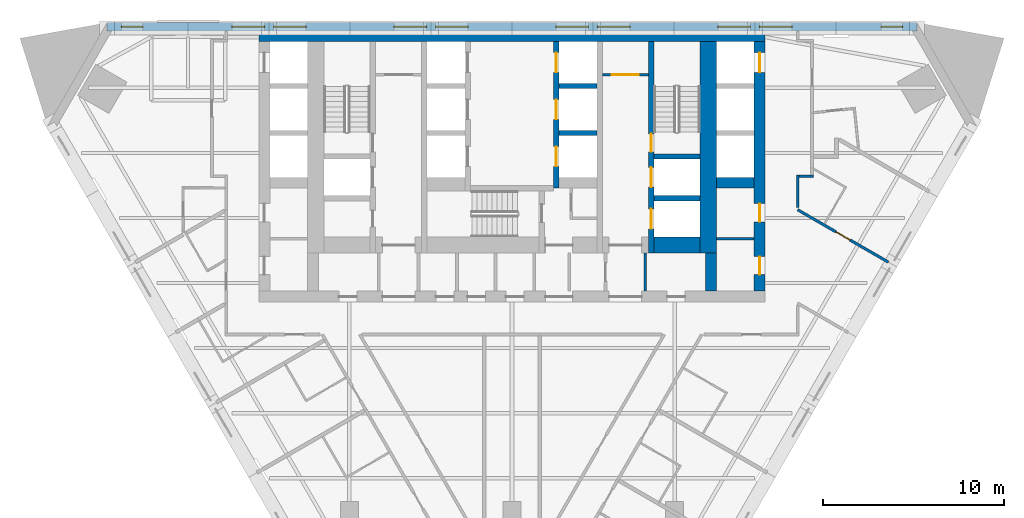
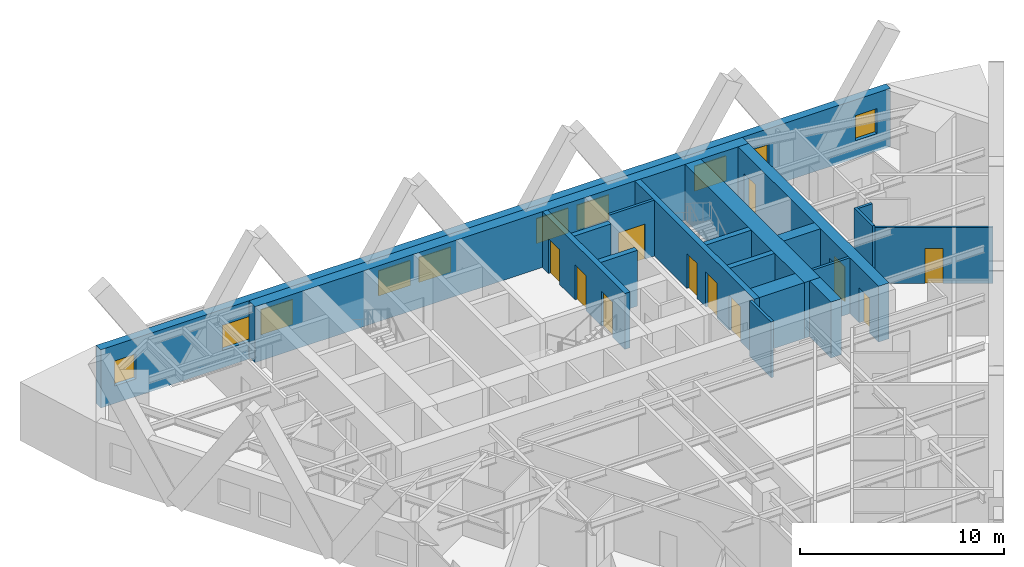
# One storey, part 7 of 9: 19 walls, 11 doors, 10 windows, 21 openings.
"""IFC4 building model written with IfcOpenShell, lengths in metres."""

from ifc_helpers import new_model, si_unit, direction, frame, frame_2d, origin, place, context, subcontext, project, spatial, polyline, rectangle, outline, extrude, material, layer, layer_set, type_object, element, fill, save


model = new_model("IFC4")

# Units and contexts
model_context = context("Model", 3, precision=1e-05, world=origin(), true_north=direction((0.0, 1.0)))
body_context = subcontext(model_context, "Body", "Model", "MODEL_VIEW")
ifc_project = project(units=[si_unit("LENGTHUNIT", "METRE"), si_unit("AREAUNIT", "SQUARE_METRE"), si_unit("VOLUMEUNIT", "CUBIC_METRE"), si_unit("PLANEANGLEUNIT", "RADIAN"), si_unit("MASSUNIT", "GRAM", prefix="KILO")], contexts=[model_context])

# Site, building, storey
site_placement = place(None, origin())
site = spatial("IfcSite", under=ifc_project, at=site_placement, CompositionType="ELEMENT")
building_placement = place(site_placement, origin())
building = spatial("IfcBuilding", under=site, at=building_placement, Name="Aloe Facet Convention Tower", CompositionType="ELEMENT")
storey_placement = place(building_placement, frame((0.0, 0.0, 42.0)))
storey = spatial("IfcBuildingStorey", under=building, at=storey_placement, Name="L08", CompositionType="ELEMENT", Elevation=42.0)

# Wall, opening, door
ifc_material_1 = material(Name="Concrete blockwork partition", Category="masonry")
ifc_layer_1 = layer(ifc_material_1, 0.14990234375)
ifc_layer_set_1 = layer_set([ifc_layer_1], Name="CR-W-PART150")
wall_type_1 = type_object("IfcWallType", Name="CR-W-PART150", PredefinedType="PARTITIONING", material=ifc_layer_set_1)
wall_1_placement = place(storey_placement, frame((85.0, 132.125, 0.0), z_axis=(0.0, 0.0, 1.0), x_axis=(1.0, 0.0, 0.0)))
wall_1 = element("IfcWall", 1, at=wall_1_placement, inside=storey, type_object=wall_type_1, Name="Core partition L08-038", PredefinedType="PARTITIONING", context=body_context, shape_type="SweptSolid", body=[
    extrude(rectangle(XDim=2.550048828125, YDim=0.14990234375, at=frame_2d((1.27490234375, 0.0))), origin(), (0.0, 0.0, 1.0), 3.35009765625),
])
opening_1_placement = place(wall_1_placement, frame((0.52490234375, 0.0, 0.0)))
opening_1 = element("IfcOpeningElement", 2, at=opening_1_placement, cuts=wall_1, Name="Opening L08-CD20", PredefinedType="OPENING", context=body_context, shape_type="SweptSolid", body=[
    extrude(rectangle(XDim=1.5, YDim=2.10009765625, at=frame_2d((0.75, 1.050048828125))), frame((0.0, 0.0849609375, 0.0), z_axis=(0.0, -1.0, 0.0), x_axis=(1.0, 0.0, 0.0)), (0.0, 0.0, 1.0), 0.169921875),
])
ifc_material_2 = material(Name="Steel fire-resisting door set FD60", Category="steel")
door_type_1 = type_object("IfcDoorType", Name="CR-D-REFUGE-1500-FD60-DD", OperationType="DOUBLE_DOOR_DOUBLE_SWING", PredefinedType="DOOR", material=ifc_material_2)
door_1_placement = place(opening_1_placement, origin())
door_1 = element("IfcDoor", 3, at=door_1_placement, inside=storey, type_object=door_type_1, Name="Core door L08-CD20", OperationType="DOUBLE_DOOR_DOUBLE_SWING", OverallHeight=2.10009765625, OverallWidth=1.5, PredefinedType="DOOR", context=body_context, shape_type="SweptSolid", body=[
    extrude(rectangle(XDim=1.5, YDim=2.10009765625, at=frame_2d((0.75, 1.050048828125))), frame((0.0, 0.02490234375, 0.0), z_axis=(0.0, -1.0, 0.0), x_axis=(1.0, 0.0, 0.0)), (0.0, 0.0, 1.0), 0.050048828125),
])
fill(opening_1, door_1)

# Walls
wall_2_placement = place(storey_placement, frame((87.375, 122.25, 0.0), z_axis=(0.0, 0.0, 1.0), x_axis=(0.0, -1.0, 0.0)))
element("IfcWall", 4, at=wall_2_placement, inside=storey, type_object=wall_type_1, Name="Core partition L08-041", PredefinedType="PARTITIONING", context=body_context, shape_type="SweptSolid", body=[
    extrude(rectangle(XDim=2.10009765625, YDim=0.14990234375, at=frame_2d((1.050048828125, 0.0))), origin(), (0.0, 0.0, 1.0), 3.35009765625),
])
wall_3_placement = place(storey_placement, frame((91.300048828125, 123.048583984375, 0.0), z_axis=(0.0, 0.0, 1.0), x_axis=(1.0, 0.0, 0.0)))
element("IfcWall", 5, at=wall_3_placement, inside=storey, type_object=wall_type_1, Name="Core partition L08-051", PredefinedType="PARTITIONING", context=body_context, shape_type="SweptSolid", body=[
    extrude(rectangle(XDim=2.099853515625, YDim=0.14990234375, at=frame_2d((1.0498046875, 0.0))), origin(), (0.0, 0.0, 1.0), 3.35009765625),
])

# Wall, openings, doors
ifc_material_3 = material(Name="Concrete C80/95", Category="concrete")
ifc_layer_2 = layer(ifc_material_3, 0.300048828125)
ifc_layer_set_2 = layer_set([ifc_layer_2], Name="CR-W-RC300-C8095")
wall_type_2 = type_object("IfcWallType", Name="CR-W-RC300-C8095", PredefinedType="SOLIDWALL", material=ifc_layer_set_2)
wall_4_placement = place(storey_placement, frame((82.449951171875, 133.949951171875, 0.0), z_axis=(0.0, 0.0, 1.0), x_axis=(0.0, -1.0, 0.0)))
wall_4 = element("IfcWall", 6, at=wall_4_placement, inside=storey, type_object=wall_type_2, Name="Core wall L08-030", PredefinedType="SOLIDWALL", context=body_context, shape_type="SweptSolid", body=[
    extrude(rectangle(XDim=8.099853515625, YDim=0.300048828125, at=frame_2d((4.0498046875, 0.0))), origin(), (0.0, 0.0, 1.0), 3.35009765625),
])
opening_2_placement = place(wall_4_placement, frame((0.60009765625, 0.0, 0.0)))
opening_2 = element("IfcOpeningElement", 7, at=opening_2_placement, cuts=wall_4, Name="Opening LD-A4-L08", PredefinedType="OPENING", context=body_context, shape_type="SweptSolid", body=[
    extrude(rectangle(XDim=1.10009765625, YDim=2.10009765625, at=frame_2d((0.550048828125, 1.050048828125))), frame((0.0, 0.16015625, 0.0), z_axis=(0.0, -1.0, 0.0), x_axis=(1.0, 0.0, 0.0)), (0.0, 0.0, 1.0), 0.320068359375),
])
opening_3_placement = place(wall_4_placement, frame((3.199951171875, 0.0, 0.0)))
opening_3 = element("IfcOpeningElement", 8, at=opening_3_placement, cuts=wall_4, Name="Opening LD-A5-L08", PredefinedType="OPENING", context=body_context, shape_type="SweptSolid", body=[
    extrude(rectangle(XDim=1.10009765625, YDim=2.10009765625, at=frame_2d((0.550048828125, 1.050048828125))), frame((0.0, 0.16015625, 0.0), z_axis=(0.0, -1.0, 0.0), x_axis=(1.0, 0.0, 0.0)), (0.0, 0.0, 1.0), 0.320068359375),
])
opening_4_placement = place(wall_4_placement, frame((5.800048828125, 0.0, 0.0)))
opening_4 = element("IfcOpeningElement", 9, at=opening_4_placement, cuts=wall_4, Name="Opening LD-A6-L08", PredefinedType="OPENING", context=body_context, shape_type="SweptSolid", body=[
    extrude(rectangle(XDim=1.10009765625, YDim=2.10009765625, at=frame_2d((0.550048828125, 1.050048828125))), frame((0.0, 0.16015625, 0.0), z_axis=(0.0, -1.0, 0.0), x_axis=(1.0, 0.0, 0.0)), (0.0, 0.0, 1.0), 0.320068359375),
])
ifc_material_4 = material(Name="Stainless steel sliding landing door", Category="steel")
door_type_2 = type_object("IfcDoorType", Name="CR-LD-1100-FD60-_LEFT", OperationType="SLIDING_TO_LEFT", PredefinedType="DOOR", material=ifc_material_4)
door_2_placement = place(opening_2_placement, origin())
door_2 = element("IfcDoor", 10, at=door_2_placement, inside=storey, type_object=door_type_2, Name="Landing door A4 L08", OperationType="SLIDING_TO_LEFT", OverallHeight=2.10009765625, OverallWidth=1.10009765625, PredefinedType="DOOR", context=body_context, shape_type="SweptSolid", body=[
    extrude(rectangle(XDim=1.10009765625, YDim=2.10009765625, at=frame_2d((0.550048828125, 1.050048828125))), frame((0.0, 0.02490234375, 0.0), z_axis=(0.0, -1.0, 0.0), x_axis=(1.0, 0.0, 0.0)), (0.0, 0.0, 1.0), 0.050048828125),
])
fill(opening_2, door_2)
door_3_placement = place(opening_3_placement, origin())
door_3 = element("IfcDoor", 11, at=door_3_placement, inside=storey, type_object=door_type_2, Name="Landing door A5 L08", OperationType="SLIDING_TO_LEFT", OverallHeight=2.10009765625, OverallWidth=1.10009765625, PredefinedType="DOOR", context=body_context, shape_type="SweptSolid", body=[
    extrude(rectangle(XDim=1.10009765625, YDim=2.10009765625, at=frame_2d((0.550048828125, 1.050048828125))), frame((0.0, 0.02490234375, 0.0), z_axis=(0.0, -1.0, 0.0), x_axis=(1.0, 0.0, 0.0)), (0.0, 0.0, 1.0), 0.050048828125),
])
fill(opening_3, door_3)
door_4_placement = place(opening_4_placement, origin())
door_4 = element("IfcDoor", 12, at=door_4_placement, inside=storey, type_object=door_type_2, Name="Landing door A6 L08", OperationType="SLIDING_TO_LEFT", OverallHeight=2.10009765625, OverallWidth=1.10009765625, PredefinedType="DOOR", context=body_context, shape_type="SweptSolid", body=[
    extrude(rectangle(XDim=1.10009765625, YDim=2.10009765625, at=frame_2d((0.550048828125, 1.050048828125))), frame((0.0, 0.02490234375, 0.0), z_axis=(0.0, -1.0, 0.0), x_axis=(1.0, 0.0, 0.0)), (0.0, 0.0, 1.0), 0.050048828125),
])
fill(opening_4, door_4)

# Walls
for number, where, z_axis, x_axis, name in (
    (13, (82.60009765625, 131.5, 0.0), (0.0, 0.0, 1.0), (1.0, 0.0, 0.0), "Core wall L08-031"),
    (14, (82.60009765625, 128.89990234375, 0.0), (0.0, 0.0, 1.0), (1.0, 0.0, 0.0), "Core wall L08-032"),
):
    element("IfcWall", number, at=place(storey_placement, frame(where, z_axis=z_axis, x_axis=x_axis)), inside=storey, type_object=wall_type_2, Name=name, PredefinedType="SOLIDWALL", context=body_context, shape_type="SweptSolid", body=[
        extrude(rectangle(XDim=2.099853515625, YDim=0.300048828125, at=frame_2d((1.0498046875, 0.0))), origin(), (0.0, 0.0, 1.0), 3.35009765625),
    ])

# Wall, openings, doors
wall_5_placement = place(storey_placement, frame((87.699951171875, 133.949951171875, 0.0), z_axis=(0.0, 0.0, 1.0), x_axis=(0.0, -1.0, 0.0)))
wall_5 = element("IfcWall", 15, at=wall_5_placement, inside=storey, type_object=wall_type_2, Name="Core wall L08-042", PredefinedType="SOLIDWALL", context=body_context, shape_type="SweptSolid", body=[
    extrude(rectangle(XDim=11.699951171875, YDim=0.300048828125, at=frame_2d((5.85009765625, 0.0))), origin(), (0.0, 0.0, 1.0), 3.35009765625),
])
opening_5_placement = place(wall_5_placement, frame((6.949951171875, 0.0, 0.0)))
opening_5 = element("IfcOpeningElement", 16, at=opening_5_placement, cuts=wall_5, Name="Opening LD-FF2-L08", PredefinedType="OPENING", context=body_context, shape_type="SweptSolid", body=[
    extrude(rectangle(XDim=1.10009765625, YDim=2.10009765625, at=frame_2d((0.550048828125, 1.050048828125))), frame((0.0, 0.16015625, 0.0), z_axis=(0.0, -1.0, 0.0), x_axis=(1.0, 0.0, 0.0)), (0.0, 0.0, 1.0), 0.320068359375),
])
opening_6_placement = place(wall_5_placement, frame((5.10009765625, 0.0, 0.0)))
opening_6 = element("IfcOpeningElement", 17, at=opening_6_placement, cuts=wall_5, Name="Opening L08-CD30", PredefinedType="OPENING", context=body_context, shape_type="SweptSolid", body=[
    extrude(rectangle(XDim=1.0, YDim=2.10009765625, at=frame_2d((0.5, 1.050048828125))), frame((0.0, 0.16015625, 0.0), z_axis=(0.0, -1.0, 0.0), x_axis=(1.0, 0.0, 0.0)), (0.0, 0.0, 1.0), 0.320068359375),
])
opening_7_placement = place(wall_5_placement, frame((9.25, 0.0, 0.0)))
opening_7 = element("IfcOpeningElement", 18, at=opening_7_placement, cuts=wall_5, Name="Opening LD-SV1-L08", PredefinedType="OPENING", context=body_context, shape_type="SweptSolid", body=[
    extrude(rectangle(XDim=1.10009765625, YDim=2.10009765625, at=frame_2d((0.550048828125, 1.050048828125))), frame((0.0, 0.16015625, 0.0), z_axis=(0.0, -1.0, 0.0), x_axis=(1.0, 0.0, 0.0)), (0.0, 0.0, 1.0), 0.320068359375),
])
ifc_material_5 = material(Name="Steel fire-resisting door set FD120", Category="steel")
door_type_3 = type_object("IfcDoorType", Name="CR-D-STAIR-1000-FD120-SLEFT", OperationType="SINGLE_SWING_LEFT", PredefinedType="DOOR", material=ifc_material_5)
door_5_placement = place(opening_6_placement, origin())
door_5 = element("IfcDoor", 19, at=door_5_placement, inside=storey, type_object=door_type_3, Name="Core door L08-CD30", OperationType="SINGLE_SWING_LEFT", OverallHeight=2.10009765625, OverallWidth=1.0, PredefinedType="DOOR", context=body_context, shape_type="SweptSolid", body=[
    extrude(rectangle(XDim=1.0, YDim=2.10009765625, at=frame_2d((0.5, 1.050048828125))), frame((0.0, 0.02490234375, 0.0), z_axis=(0.0, -1.0, 0.0), x_axis=(1.0, 0.0, 0.0)), (0.0, 0.0, 1.0), 0.050048828125),
])
fill(opening_6, door_5)
ifc_material_6 = material(Name="Stainless steel sliding landing door", Category="steel")
door_type_4 = type_object("IfcDoorType", Name="CR-LD-1100-FD120-_LEFT", OperationType="SLIDING_TO_LEFT", PredefinedType="DOOR", material=ifc_material_6)
door_6_placement = place(opening_5_placement, origin())
door_6 = element("IfcDoor", 20, at=door_6_placement, inside=storey, type_object=door_type_4, Name="Landing door FF2 L08", OperationType="SLIDING_TO_LEFT", OverallHeight=2.10009765625, OverallWidth=1.10009765625, PredefinedType="DOOR", context=body_context, shape_type="SweptSolid", body=[
    extrude(rectangle(XDim=1.10009765625, YDim=2.10009765625, at=frame_2d((0.550048828125, 1.050048828125))), frame((0.0, 0.02490234375, 0.0), z_axis=(0.0, -1.0, 0.0), x_axis=(1.0, 0.0, 0.0)), (0.0, 0.0, 1.0), 0.050048828125),
])
fill(opening_5, door_6)
door_7_placement = place(opening_7_placement, origin())
door_7 = element("IfcDoor", 21, at=door_7_placement, inside=storey, type_object=door_type_4, Name="Landing door SV1 L08", OperationType="SLIDING_TO_LEFT", OverallHeight=2.10009765625, OverallWidth=1.10009765625, PredefinedType="DOOR", context=body_context, shape_type="SweptSolid", body=[
    extrude(rectangle(XDim=1.10009765625, YDim=2.10009765625, at=frame_2d((0.550048828125, 1.050048828125))), frame((0.0, 0.02490234375, 0.0), z_axis=(0.0, -1.0, 0.0), x_axis=(1.0, 0.0, 0.0)), (0.0, 0.0, 1.0), 0.050048828125),
])
fill(opening_7, door_7)

# Walls
for number, where, z_axis, x_axis, name in (
    (22, (87.85009765625, 127.60009765625, 0.0), (0.0, 0.0, 1.0), (1.0, 0.0, 0.0), "Core wall L08-043"),
    (23, (87.85009765625, 125.300048828125, 0.0), (0.0, 0.0, 1.0), (1.0, 0.0, 0.0), "Core wall L08-044"),
):
    element("IfcWall", number, at=place(storey_placement, frame(where, z_axis=z_axis, x_axis=x_axis)), inside=storey, type_object=wall_type_2, Name=name, PredefinedType="SOLIDWALL", context=body_context, shape_type="SweptSolid", body=[
        extrude(rectangle(XDim=2.5498046875, YDim=0.300048828125, at=frame_2d((1.27490234375, 0.0))), origin(), (0.0, 0.0, 1.0), 3.35009765625),
    ])
ifc_material_7 = material(Name="Concrete C80/95", Category="concrete")
ifc_layer_3 = layer(ifc_material_7, 0.60009765625)
ifc_layer_set_3 = layer_set([ifc_layer_3], Name="CR-W-RC600-C8095")
wall_type_3 = type_object("IfcWallType", Name="CR-W-RC600-C8095", PredefinedType="SOLIDWALL", material=ifc_layer_set_3)
wall_6_placement = place(storey_placement, frame((66.0, 134.25, 0.0), z_axis=(0.0, 0.0, 1.0), x_axis=(1.0, 0.0, 0.0)))
element("IfcWall", 24, at=wall_6_placement, inside=storey, type_object=wall_type_3, Name="Core wall L08-001", PredefinedType="SOLIDWALL", context=body_context, shape_type="SweptSolid", body=[
    extrude(rectangle(XDim=28.0, YDim=0.60009765625, at=frame_2d((14.0, 0.0))), origin(), (0.0, 0.0, 1.0), 3.35009765625),
])
wall_7_placement = place(storey_placement, frame((91.0, 122.25, 0.0), z_axis=(0.0, 0.0, 1.0), x_axis=(0.0, -1.0, 0.0)))
element("IfcWall", 25, at=wall_7_placement, inside=storey, type_object=wall_type_3, Name="Core wall L08-047", PredefinedType="SOLIDWALL", context=body_context, shape_type="SweptSolid", body=[
    extrude(rectangle(XDim=2.10009765625, YDim=0.60009765625, at=frame_2d((1.050048828125, 0.0))), origin(), (0.0, 0.0, 1.0), 3.35009765625),
])
wall_8_placement = place(storey_placement, frame((91.300048828125, 126.14990234375, 0.0), z_axis=(0.0, 0.0, 1.0), x_axis=(1.0, 0.0, 0.0)))
element("IfcWall", 26, at=wall_8_placement, inside=storey, type_object=wall_type_3, Name="Core wall L08-050", PredefinedType="SOLIDWALL", context=body_context, shape_type="SweptSolid", body=[
    extrude(rectangle(XDim=2.099853515625, YDim=0.60009765625, at=frame_2d((1.0498046875, 0.0))), origin(), (0.0, 0.0, 1.0), 3.35009765625),
])

# Wall, openings, doors
wall_9_placement = place(storey_placement, frame((93.699951171875, 133.949951171875, 0.0), z_axis=(0.0, 0.0, 1.0), x_axis=(0.0, -1.0, 0.0)))
wall_9 = element("IfcWall", 27, at=wall_9_placement, inside=storey, type_object=wall_type_3, Name="Core wall L08-052", PredefinedType="SOLIDWALL", context=body_context, shape_type="SweptSolid", body=[
    extrude(rectangle(XDim=13.800048828125, YDim=0.60009765625, at=frame_2d((6.89990234375, 0.0))), origin(), (0.0, 0.0, 1.0), 3.35009765625),
])
opening_8_placement = place(wall_9_placement, frame((0.60009765625, 0.0, 0.0)))
opening_8 = element("IfcOpeningElement", 28, at=opening_8_placement, cuts=wall_9, Name="Opening LD-A8-L08", PredefinedType="OPENING", context=body_context, shape_type="SweptSolid", body=[
    extrude(rectangle(XDim=1.10009765625, YDim=2.10009765625, at=frame_2d((0.550048828125, 1.050048828125))), frame((0.0, 0.31005859375, 0.0), z_axis=(0.0, -1.0, 0.0), x_axis=(1.0, 0.0, 0.0)), (0.0, 0.0, 1.0), 0.6201171875),
])
opening_9_placement = place(wall_9_placement, frame((8.963134765625, 0.0, 0.0)))
opening_9 = element("IfcOpeningElement", 29, at=opening_9_placement, cuts=wall_9, Name="Opening L08-CD09", PredefinedType="OPENING", context=body_context, shape_type="SweptSolid", body=[
    extrude(rectangle(XDim=1.0, YDim=2.10009765625, at=frame_2d((0.5, 1.050048828125))), frame((0.0, 0.31005859375, 0.0), z_axis=(0.0, -1.0, 0.0), x_axis=(1.0, 0.0, 0.0)), (0.0, 0.0, 1.0), 0.6201171875),
])
opening_10_placement = place(wall_9_placement, frame((11.88818359375, 0.0, 0.0)))
opening_10 = element("IfcOpeningElement", 30, at=opening_10_placement, cuts=wall_9, Name="Opening L08-CD10", PredefinedType="OPENING", context=body_context, shape_type="SweptSolid", body=[
    extrude(rectangle(XDim=1.0, YDim=2.10009765625, at=frame_2d((0.5, 1.050048828125))), frame((0.0, 0.31005859375, 0.0), z_axis=(0.0, -1.0, 0.0), x_axis=(1.0, 0.0, 0.0)), (0.0, 0.0, 1.0), 0.6201171875),
])
ifc_material_8 = material(Name="Steel fire-resisting door set FD60", Category="steel")
door_type_5 = type_object("IfcDoorType", Name="CR-D-ROOM-1000-FD60-SLEFT", OperationType="SINGLE_SWING_LEFT", PredefinedType="DOOR", material=ifc_material_8)
door_8_placement = place(opening_9_placement, origin())
door_8 = element("IfcDoor", 31, at=door_8_placement, inside=storey, type_object=door_type_5, Name="Core door L08-CD09", OperationType="SINGLE_SWING_LEFT", OverallHeight=2.10009765625, OverallWidth=1.0, PredefinedType="DOOR", context=body_context, shape_type="SweptSolid", body=[
    extrude(rectangle(XDim=1.0, YDim=2.10009765625, at=frame_2d((0.5, 1.050048828125))), frame((0.0, 0.02490234375, 0.0), z_axis=(0.0, -1.0, 0.0), x_axis=(1.0, 0.0, 0.0)), (0.0, 0.0, 1.0), 0.050048828125),
])
fill(opening_9, door_8)
door_9_placement = place(opening_10_placement, origin())
door_9 = element("IfcDoor", 32, at=door_9_placement, inside=storey, type_object=door_type_5, Name="Core door L08-CD10", OperationType="SINGLE_SWING_LEFT", OverallHeight=2.10009765625, OverallWidth=1.0, PredefinedType="DOOR", context=body_context, shape_type="SweptSolid", body=[
    extrude(rectangle(XDim=1.0, YDim=2.10009765625, at=frame_2d((0.5, 1.050048828125))), frame((0.0, 0.02490234375, 0.0), z_axis=(0.0, -1.0, 0.0), x_axis=(1.0, 0.0, 0.0)), (0.0, 0.0, 1.0), 0.050048828125),
])
fill(opening_10, door_9)
door_10_placement = place(opening_8_placement, origin())
door_10 = element("IfcDoor", 33, at=door_10_placement, inside=storey, type_object=door_type_2, Name="Landing door A8 L08", OperationType="SLIDING_TO_LEFT", OverallHeight=2.10009765625, OverallWidth=1.10009765625, PredefinedType="DOOR", context=body_context, shape_type="SweptSolid", body=[
    extrude(rectangle(XDim=1.10009765625, YDim=2.10009765625, at=frame_2d((0.550048828125, 1.050048828125))), frame((0.0, 0.02490234375, 0.0), z_axis=(0.0, -1.0, 0.0), x_axis=(1.0, 0.0, 0.0)), (0.0, 0.0, 1.0), 0.050048828125),
])
fill(opening_8, door_10)

# Walls
ifc_material_9 = material(Name="Concrete C80/95", Category="concrete")
ifc_layer_4 = layer(ifc_material_9, 0.89990234375)
ifc_layer_set_4 = layer_set([ifc_layer_4], Name="CR-W-RC900-C8095")
wall_type_4 = type_object("IfcWallType", Name="CR-W-RC900-C8095", PredefinedType="SOLIDWALL", material=ifc_layer_set_4)
wall_10_placement = place(storey_placement, frame((87.85009765625, 122.699951171875, 0.0), z_axis=(0.0, 0.0, 1.0), x_axis=(1.0, 0.0, 0.0)))
element("IfcWall", 34, at=wall_10_placement, inside=storey, type_object=wall_type_4, Name="Core wall L08-045", PredefinedType="SOLIDWALL", context=body_context, shape_type="SweptSolid", body=[
    extrude(rectangle(XDim=2.5498046875, YDim=0.89990234375, at=frame_2d((1.27490234375, 0.0))), origin(), (0.0, 0.0, 1.0), 3.35009765625),
])
wall_11_placement = place(storey_placement, frame((90.85009765625, 133.949951171875, 0.0), z_axis=(0.0, 0.0, 1.0), x_axis=(0.0, -1.0, 0.0)))
element("IfcWall", 35, at=wall_11_placement, inside=storey, type_object=wall_type_4, Name="Core wall L08-046", PredefinedType="SOLIDWALL", context=body_context, shape_type="SweptSolid", body=[
    extrude(rectangle(XDim=11.699951171875, YDim=0.89990234375, at=frame_2d((5.85009765625, 0.0))), origin(), (0.0, 0.0, 1.0), 3.35009765625),
])

# Wall, openings, windows
ifc_material_10 = material(Name="Precast concrete C40/50", Category="concrete")
ifc_layer_5 = layer(ifc_material_10, 0.449951171875)
ifc_layer_set_5 = layer_set([ifc_layer_5], Name="EV-WALL-STONE")
wall_type_5 = type_object("IfcWallType", Name="EV-WALL-STONE", PredefinedType="SOLIDWALL", material=ifc_layer_set_5)
wall_12_placement = place(storey_placement, frame((102.39990234375, 134.77490234375, -0.14990234375), z_axis=(0.0, 0.0, 1.0), x_axis=(-1.0, 0.0, 0.0)))
wall_12 = element("IfcWall", 36, at=wall_12_placement, inside=storey, type_object=wall_type_5, Name="EW-L08-N01", PredefinedType="SOLIDWALL", context=body_context, shape_type="SweptSolid", body=[
    extrude(outline(polyline([(44.800048828125, 0.0), (44.800048828125, 3.5), (0.0, 3.5), (0.0, 0.0), (44.800048828125, 0.0)])), frame((0.0, 0.22509765625, 0.0), z_axis=(0.0, -1.0, 0.0), x_axis=(1.0, 0.0, 0.0)), (0.0, 0.0, 1.0), 0.449951171875),
])
opening_11_placement = place(wall_12_placement, frame((0.7861328125, 0.0, 1.050048828125)))
opening_11 = element("IfcOpeningElement", 37, at=opening_11_placement, cuts=wall_12, Name="Opening W-L08-N01", PredefinedType="OPENING", context=body_context, shape_type="SweptSolid", body=[
    extrude(rectangle(XDim=1.199951171875, YDim=1.5, at=frame_2d((0.60009765625, 0.75))), frame((0.0, 0.23486328125, 0.0), z_axis=(0.0, -1.0, 0.0), x_axis=(1.0, 0.0, 0.0)), (0.0, 0.0, 1.0), 0.469970703125),
])
opening_12_placement = place(wall_12_placement, frame((6.909912109375, 0.0, 1.050048828125)))
opening_12 = element("IfcOpeningElement", 38, at=opening_12_placement, cuts=wall_12, Name="Opening W-L08-N02", PredefinedType="OPENING", context=body_context, shape_type="SweptSolid", body=[
    extrude(rectangle(XDim=1.800048828125, YDim=1.5, at=frame_2d((0.89990234375, 0.75))), frame((0.0, 0.23486328125, 0.0), z_axis=(0.0, -1.0, 0.0), x_axis=(1.0, 0.0, 0.0)), (0.0, 0.0, 1.0), 0.469970703125),
])
opening_13_placement = place(wall_12_placement, frame((9.2099609375, 0.0, 1.050048828125)))
opening_13 = element("IfcOpeningElement", 39, at=opening_13_placement, cuts=wall_12, Name="Opening W-L08-N03", PredefinedType="OPENING", context=body_context, shape_type="SweptSolid", body=[
    extrude(rectangle(XDim=1.800048828125, YDim=1.5, at=frame_2d((0.89990234375, 0.75))), frame((0.0, 0.23486328125, 0.0), z_axis=(0.0, -1.0, 0.0), x_axis=(1.0, 0.0, 0.0)), (0.0, 0.0, 1.0), 0.469970703125),
])
opening_14_placement = place(wall_12_placement, frame((15.8701171875, 0.0, 1.050048828125)))
opening_14 = element("IfcOpeningElement", 40, at=opening_14_placement, cuts=wall_12, Name="Opening W-L08-N04", PredefinedType="OPENING", context=body_context, shape_type="SweptSolid", body=[
    extrude(rectangle(XDim=1.800048828125, YDim=1.5, at=frame_2d((0.89990234375, 0.75))), frame((0.0, 0.23486328125, 0.0), z_axis=(0.0, -1.0, 0.0), x_axis=(1.0, 0.0, 0.0)), (0.0, 0.0, 1.0), 0.469970703125),
])
opening_15_placement = place(wall_12_placement, frame((18.169921875, 0.0, 1.050048828125)))
opening_15 = element("IfcOpeningElement", 41, at=opening_15_placement, cuts=wall_12, Name="Opening W-L08-N05", PredefinedType="OPENING", context=body_context, shape_type="SweptSolid", body=[
    extrude(rectangle(XDim=1.800048828125, YDim=1.5, at=frame_2d((0.89990234375, 0.75))), frame((0.0, 0.23486328125, 0.0), z_axis=(0.0, -1.0, 0.0), x_axis=(1.0, 0.0, 0.0)), (0.0, 0.0, 1.0), 0.469970703125),
])
opening_16_placement = place(wall_12_placement, frame((24.830078125, 0.0, 1.050048828125)))
opening_16 = element("IfcOpeningElement", 42, at=opening_16_placement, cuts=wall_12, Name="Opening W-L08-N06", PredefinedType="OPENING", context=body_context, shape_type="SweptSolid", body=[
    extrude(rectangle(XDim=1.800048828125, YDim=1.5, at=frame_2d((0.89990234375, 0.75))), frame((0.0, 0.23486328125, 0.0), z_axis=(0.0, -1.0, 0.0), x_axis=(1.0, 0.0, 0.0)), (0.0, 0.0, 1.0), 0.469970703125),
])
opening_17_placement = place(wall_12_placement, frame((27.1298828125, 0.0, 1.050048828125)))
opening_17 = element("IfcOpeningElement", 43, at=opening_17_placement, cuts=wall_12, Name="Opening W-L08-N07", PredefinedType="OPENING", context=body_context, shape_type="SweptSolid", body=[
    extrude(rectangle(XDim=1.800048828125, YDim=1.5, at=frame_2d((0.89990234375, 0.75))), frame((0.0, 0.23486328125, 0.0), z_axis=(0.0, -1.0, 0.0), x_axis=(1.0, 0.0, 0.0)), (0.0, 0.0, 1.0), 0.469970703125),
])
opening_18_placement = place(wall_12_placement, frame((33.7900390625, 0.0, 1.050048828125)))
opening_18 = element("IfcOpeningElement", 44, at=opening_18_placement, cuts=wall_12, Name="Opening W-L08-N08", PredefinedType="OPENING", context=body_context, shape_type="SweptSolid", body=[
    extrude(rectangle(XDim=1.800048828125, YDim=1.5, at=frame_2d((0.89990234375, 0.75))), frame((0.0, 0.23486328125, 0.0), z_axis=(0.0, -1.0, 0.0), x_axis=(1.0, 0.0, 0.0)), (0.0, 0.0, 1.0), 0.469970703125),
])
opening_19_placement = place(wall_12_placement, frame((36.090087890625, 0.0, 1.050048828125)))
opening_19 = element("IfcOpeningElement", 45, at=opening_19_placement, cuts=wall_12, Name="Opening W-L08-N09", PredefinedType="OPENING", context=body_context, shape_type="SweptSolid", body=[
    extrude(rectangle(XDim=1.800048828125, YDim=1.5, at=frame_2d((0.89990234375, 0.75))), frame((0.0, 0.23486328125, 0.0), z_axis=(0.0, -1.0, 0.0), x_axis=(1.0, 0.0, 0.0)), (0.0, 0.0, 1.0), 0.469970703125),
])
opening_20_placement = place(wall_12_placement, frame((42.81396484375, 0.0, 1.050048828125)))
opening_20 = element("IfcOpeningElement", 46, at=opening_20_placement, cuts=wall_12, Name="Opening W-L08-N10", PredefinedType="OPENING", context=body_context, shape_type="SweptSolid", body=[
    extrude(rectangle(XDim=1.199951171875, YDim=1.5, at=frame_2d((0.60009765625, 0.75))), frame((0.0, 0.23486328125, 0.0), z_axis=(0.0, -1.0, 0.0), x_axis=(1.0, 0.0, 0.0)), (0.0, 0.0, 1.0), 0.469970703125),
])
ifc_material_11 = material(Name="Aluminium frame, clear double glazing", Category="aluminium")
window_type_1 = type_object("IfcWindowType", Name="EV-WIN-H12", PartitioningType="SINGLE_PANEL", PredefinedType="WINDOW", material=ifc_material_11)
window_1_placement = place(opening_11_placement, origin())
window_1 = element("IfcWindow", 47, at=window_1_placement, inside=storey, type_object=window_type_1, Name="W-L08-N01", OverallHeight=1.5, OverallWidth=1.199951171875, PartitioningType="SINGLE_PANEL", PredefinedType="WINDOW", context=body_context, shape_type="SweptSolid", body=[
    extrude(rectangle(XDim=1.199951171875, YDim=1.5, at=frame_2d((0.60009765625, 0.75))), frame((0.0, 0.030029296875, 0.0), z_axis=(0.0, -1.0, 0.0), x_axis=(1.0, 0.0, 0.0)), (0.0, 0.0, 1.0), 0.06005859375),
])
fill(opening_11, window_1)
window_2_placement = place(opening_20_placement, origin())
window_2 = element("IfcWindow", 48, at=window_2_placement, inside=storey, type_object=window_type_1, Name="W-L08-N10", OverallHeight=1.5, OverallWidth=1.199951171875, PartitioningType="SINGLE_PANEL", PredefinedType="WINDOW", context=body_context, shape_type="SweptSolid", body=[
    extrude(rectangle(XDim=1.199951171875, YDim=1.5, at=frame_2d((0.60009765625, 0.75))), frame((0.0, 0.030029296875, 0.0), z_axis=(0.0, -1.0, 0.0), x_axis=(1.0, 0.0, 0.0)), (0.0, 0.0, 1.0), 0.06005859375),
])
fill(opening_20, window_2)
ifc_material_12 = material(Name="Aluminium frame, clear double glazing", Category="aluminium")
window_type_2 = type_object("IfcWindowType", Name="EV-WIN-H18", PartitioningType="SINGLE_PANEL", PredefinedType="WINDOW", material=ifc_material_12)
window_3_placement = place(opening_12_placement, origin())
window_3 = element("IfcWindow", 49, at=window_3_placement, inside=storey, type_object=window_type_2, Name="W-L08-N02", OverallHeight=1.5, OverallWidth=1.800048828125, PartitioningType="SINGLE_PANEL", PredefinedType="WINDOW", context=body_context, shape_type="SweptSolid", body=[
    extrude(rectangle(XDim=1.800048828125, YDim=1.5, at=frame_2d((0.89990234375, 0.75))), frame((0.0, 0.030029296875, 0.0), z_axis=(0.0, -1.0, 0.0), x_axis=(1.0, 0.0, 0.0)), (0.0, 0.0, 1.0), 0.06005859375),
])
fill(opening_12, window_3)
window_4_placement = place(opening_13_placement, origin())
window_4 = element("IfcWindow", 50, at=window_4_placement, inside=storey, type_object=window_type_2, Name="W-L08-N03", OverallHeight=1.5, OverallWidth=1.800048828125, PartitioningType="SINGLE_PANEL", PredefinedType="WINDOW", context=body_context, shape_type="SweptSolid", body=[
    extrude(rectangle(XDim=1.800048828125, YDim=1.5, at=frame_2d((0.89990234375, 0.75))), frame((0.0, 0.030029296875, 0.0), z_axis=(0.0, -1.0, 0.0), x_axis=(1.0, 0.0, 0.0)), (0.0, 0.0, 1.0), 0.06005859375),
])
fill(opening_13, window_4)
window_5_placement = place(opening_14_placement, origin())
window_5 = element("IfcWindow", 51, at=window_5_placement, inside=storey, type_object=window_type_2, Name="W-L08-N04", OverallHeight=1.5, OverallWidth=1.800048828125, PartitioningType="SINGLE_PANEL", PredefinedType="WINDOW", context=body_context, shape_type="SweptSolid", body=[
    extrude(rectangle(XDim=1.800048828125, YDim=1.5, at=frame_2d((0.89990234375, 0.75))), frame((0.0, 0.030029296875, 0.0), z_axis=(0.0, -1.0, 0.0), x_axis=(1.0, 0.0, 0.0)), (0.0, 0.0, 1.0), 0.06005859375),
])
fill(opening_14, window_5)
window_6_placement = place(opening_15_placement, origin())
window_6 = element("IfcWindow", 52, at=window_6_placement, inside=storey, type_object=window_type_2, Name="W-L08-N05", OverallHeight=1.5, OverallWidth=1.800048828125, PartitioningType="SINGLE_PANEL", PredefinedType="WINDOW", context=body_context, shape_type="SweptSolid", body=[
    extrude(rectangle(XDim=1.800048828125, YDim=1.5, at=frame_2d((0.89990234375, 0.75))), frame((0.0, 0.030029296875, 0.0), z_axis=(0.0, -1.0, 0.0), x_axis=(1.0, 0.0, 0.0)), (0.0, 0.0, 1.0), 0.06005859375),
])
fill(opening_15, window_6)
window_7_placement = place(opening_16_placement, origin())
window_7 = element("IfcWindow", 53, at=window_7_placement, inside=storey, type_object=window_type_2, Name="W-L08-N06", OverallHeight=1.5, OverallWidth=1.800048828125, PartitioningType="SINGLE_PANEL", PredefinedType="WINDOW", context=body_context, shape_type="SweptSolid", body=[
    extrude(rectangle(XDim=1.800048828125, YDim=1.5, at=frame_2d((0.89990234375, 0.75))), frame((0.0, 0.030029296875, 0.0), z_axis=(0.0, -1.0, 0.0), x_axis=(1.0, 0.0, 0.0)), (0.0, 0.0, 1.0), 0.06005859375),
])
fill(opening_16, window_7)
window_8_placement = place(opening_17_placement, origin())
window_8 = element("IfcWindow", 54, at=window_8_placement, inside=storey, type_object=window_type_2, Name="W-L08-N07", OverallHeight=1.5, OverallWidth=1.800048828125, PartitioningType="SINGLE_PANEL", PredefinedType="WINDOW", context=body_context, shape_type="SweptSolid", body=[
    extrude(rectangle(XDim=1.800048828125, YDim=1.5, at=frame_2d((0.89990234375, 0.75))), frame((0.0, 0.030029296875, 0.0), z_axis=(0.0, -1.0, 0.0), x_axis=(1.0, 0.0, 0.0)), (0.0, 0.0, 1.0), 0.06005859375),
])
fill(opening_17, window_8)
window_9_placement = place(opening_18_placement, origin())
window_9 = element("IfcWindow", 55, at=window_9_placement, inside=storey, type_object=window_type_2, Name="W-L08-N08", OverallHeight=1.5, OverallWidth=1.800048828125, PartitioningType="SINGLE_PANEL", PredefinedType="WINDOW", context=body_context, shape_type="SweptSolid", body=[
    extrude(rectangle(XDim=1.800048828125, YDim=1.5, at=frame_2d((0.89990234375, 0.75))), frame((0.0, 0.030029296875, 0.0), z_axis=(0.0, -1.0, 0.0), x_axis=(1.0, 0.0, 0.0)), (0.0, 0.0, 1.0), 0.06005859375),
])
fill(opening_18, window_9)
window_10_placement = place(opening_19_placement, origin())
window_10 = element("IfcWindow", 56, at=window_10_placement, inside=storey, type_object=window_type_2, Name="W-L08-N09", OverallHeight=1.5, OverallWidth=1.800048828125, PartitioningType="SINGLE_PANEL", PredefinedType="WINDOW", context=body_context, shape_type="SweptSolid", body=[
    extrude(rectangle(XDim=1.800048828125, YDim=1.5, at=frame_2d((0.89990234375, 0.75))), frame((0.0, 0.030029296875, 0.0), z_axis=(0.0, -1.0, 0.0), x_axis=(1.0, 0.0, 0.0)), (0.0, 0.0, 1.0), 0.06005859375),
])
fill(opening_19, window_10)

# Wall, opening, door
ifc_material_13 = material(Name="Gypsum board partition on steel studs", Category="steel")
ifc_layer_6 = layer(ifc_material_13, 0.14990234375)
ifc_layer_set_6 = layer_set([ifc_layer_6], Name="IN-W-CORR")
wall_type_6 = type_object("IfcWallType", Name="IN-W-CORR", PredefinedType="PARTITIONING", material=ifc_layer_set_6)
wall_13_placement = place(storey_placement, frame((95.800048828125, 124.65380859375, 0.0), z_axis=(0.0, 0.0, 1.0), x_axis=(0.86602431599, -0.50000188411, 0.0)))
wall_13 = element("IfcWall", 57, at=wall_13_placement, inside=storey, type_object=wall_type_6, Name="Partition L08-W086", PredefinedType="PARTITIONING", context=body_context, shape_type="SweptSolid", body=[
    extrude(rectangle(XDim=5.79833984375, YDim=0.14990234375, at=frame_2d((2.899169921875, 0.0))), origin(), (0.0, 0.0, 1.0), 3.35009765625),
])
opening_21_placement = place(wall_13_placement, frame((2.44921875, 0.0, 0.0)))
opening_21 = element("IfcOpeningElement", 58, at=opening_21_placement, cuts=wall_13, Name="Opening L08-012", PredefinedType="OPENING", context=body_context, shape_type="SweptSolid", body=[
    extrude(rectangle(XDim=0.89990234375, YDim=2.10009765625, at=frame_2d((0.449951171875, 1.050048828125))), frame((0.0, 0.0849609375, 0.0), z_axis=(0.0, -1.0, 0.0), x_axis=(1.0, 0.0, 0.0)), (0.0, 0.0, 1.0), 0.169921875),
])
ifc_material_14 = material(Name="Hardwood flush door FD30S", Category="wood")
door_type_6 = type_object("IfcDoorType", Name="IN-D-GUEST", OperationType="SINGLE_SWING_LEFT", PredefinedType="DOOR", material=ifc_material_14)
door_11_placement = place(opening_21_placement, origin())
door_11 = element("IfcDoor", 59, at=door_11_placement, inside=storey, type_object=door_type_6, Name="Door L08-012", OperationType="SINGLE_SWING_LEFT", OverallHeight=2.10009765625, OverallWidth=0.89990234375, PredefinedType="DOOR", context=body_context, shape_type="SweptSolid", body=[
    extrude(rectangle(XDim=0.89990234375, YDim=2.10009765625, at=frame_2d((0.449951171875, 1.050048828125))), frame((0.0, 0.02490234375, 0.0), z_axis=(0.0, -1.0, 0.0), x_axis=(1.0, 0.0, 0.0)), (0.0, 0.0, 1.0), 0.050048828125),
])
fill(opening_21, door_11)

# Walls
wall_14_placement = place(storey_placement, frame((95.800048828125, 124.78369140625, 0.0), z_axis=(0.0, 0.0, 1.0), x_axis=(0.0, 1.0, 0.0)))
element("IfcWall", 60, at=wall_14_placement, inside=storey, type_object=wall_type_6, Name="Partition L08-W087", PredefinedType="PARTITIONING", context=body_context, shape_type="SweptSolid", body=[
    extrude(rectangle(XDim=1.791259765625, YDim=0.14990234375, at=frame_2d((0.8955078125, 0.0))), origin(), (0.0, 0.0, 1.0), 3.35009765625),
])
wall_15_placement = place(storey_placement, frame((95.875, 126.5, 0.0), z_axis=(0.0, 0.0, 1.0), x_axis=(1.0, 0.0, 0.0)))
element("IfcWall", 61, at=wall_15_placement, inside=storey, type_object=wall_type_6, Name="Partition L08-W094", PredefinedType="PARTITIONING", context=body_context, shape_type="SweptSolid", body=[
    extrude(rectangle(XDim=0.800048828125, YDim=0.14990234375, at=frame_2d((0.39990234375, 0.0))), origin(), (0.0, 0.0, 1.0), 3.35009765625),
])

save(model, "model.ifc")
